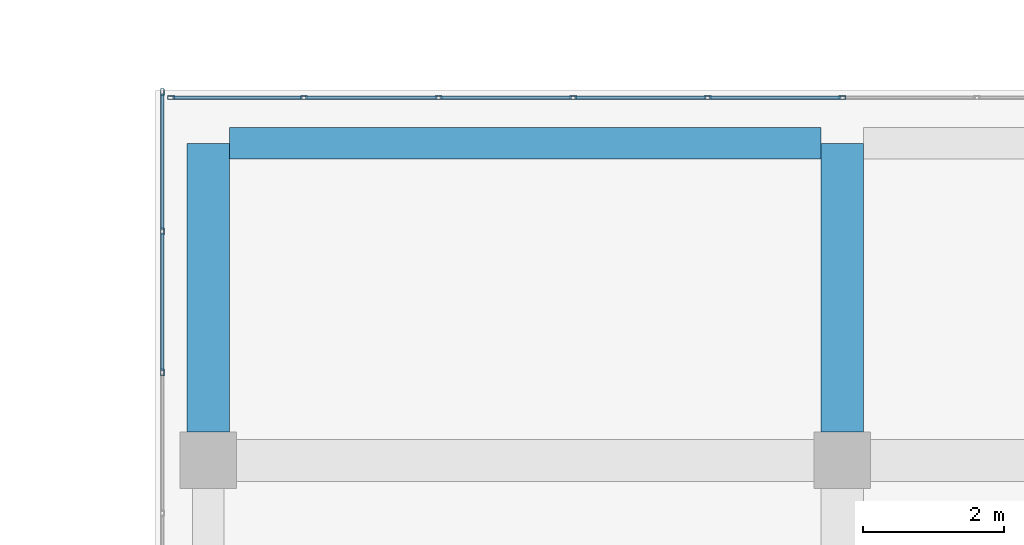
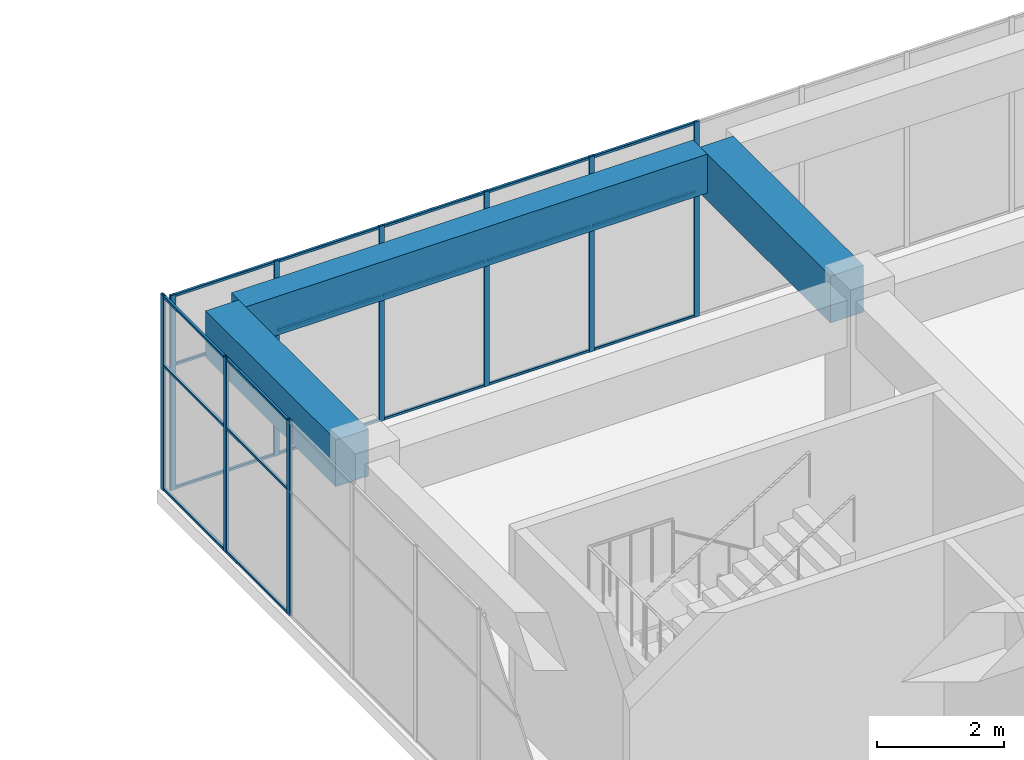
# One storey, part 32 of 66: 30 members, 3 beams, 2 elements without a shape of their own.
"""IFC4 building model written with IfcOpenShell, lengths in metres."""

import ifcopenshell
import ifcopenshell.guid

model = None  # the IFC model being written
_history = None  # IfcOwnerHistory: only IFC2X3 demands one
_inside = {}  # id of a spatial element -> (the spatial element, [elements in it])
_under = {}  # id of a project, library or spatial element -> (it, [spatial elements below it])
_declared = {}  # id of a project -> (the project, [libraries it declares])
_typed = {}  # id of a type object -> (the type object, [elements of that type])
_made_of = {}  # id of a material, layer set ... -> (it, [elements and type objects made of it])


def new_model(schema):
    """Start an empty IFC model of exactly this schema.

    Asked for "IFC4X3", IfcOpenShell would pick the latest addendum, in which some entities
    have other attributes; the version numbers below select the first issue.
    IFC2X3 requires an IfcOwnerHistory on every rooted entity: one is made here for all.
    """
    global model, _history
    if schema == "IFC4X3":
        model = ifcopenshell.file(schema_version=(4, 3, 0, 0))
    else:
        model = ifcopenshell.file(schema=schema)
    _inside.clear()
    _under.clear()
    _declared.clear()
    _typed.clear()
    _made_of.clear()
    _history = None
    if model.schema == "IFC2X3":
        org = make("IfcOrganization", Name="unknown")
        user = make(
            "IfcPersonAndOrganization",
            ThePerson=make("IfcPerson", FamilyName="unknown"),
            TheOrganization=org,
        )
        app = make(
            "IfcApplication",
            ApplicationDeveloper=org,
            Version="unknown",
            ApplicationFullName="unknown",
            ApplicationIdentifier="unknown",
        )
        _history = make(
            "IfcOwnerHistory",
            OwningUser=user,
            OwningApplication=app,
            ChangeAction="ADDED",
            CreationDate=0,
        )
    return model


def make(cls, **values):
    """One entity of the class cls with the attributes given. An attribute that is None is left unset."""
    return model.create_entity(
        cls, **{name: value for name, value in values.items() if value is not None}
    )


def rooted(cls, **values):
    """An entity with a GlobalId (a new one), such as an element, a storey or a relation."""
    return make(cls, GlobalId=ifcopenshell.guid.new(), OwnerHistory=_history, **values)


def si_unit(unit_type, name, prefix=None):
    """IfcSIUnit, for example si_unit("LENGTHUNIT", "METRE", prefix="MILLI")."""
    return make("IfcSIUnit", UnitType=unit_type, Prefix=prefix, Name=name)


def assignment(units):
    """IfcUnitAssignment: the units of a project."""
    return None if units is None else make("IfcUnitAssignment", Units=units)


def point(xyz):
    """IfcCartesianPoint."""
    return None if xyz is None else make("IfcCartesianPoint", Coordinates=xyz)


def direction(xyz):
    """IfcDirection."""
    return None if xyz is None else make("IfcDirection", DirectionRatios=xyz)


def frame(location, z_axis=None, x_axis=None):
    """IfcAxis2Placement3D, a coordinate frame: its origin and axes. An axis left out is left unset."""
    return make(
        "IfcAxis2Placement3D",
        Location=point(location),
        Axis=direction(z_axis),
        RefDirection=direction(x_axis),
    )


def frame_2d(location, x_axis=None):
    """IfcAxis2Placement2D, a coordinate frame in the plane: its origin and x axis."""
    return make(
        "IfcAxis2Placement2D", Location=point(location), RefDirection=direction(x_axis)
    )


def origin():
    """The frame at (0, 0, 0) with its axes left unset."""
    return frame((0.0, 0.0, 0.0))


def origin_2d():
    """The frame at (0, 0) in the plane with its x axis left unset."""
    return frame_2d((0.0, 0.0))


def place(relative_to, where):
    """IfcLocalPlacement: puts the frame where relative to a parent placement (None: the world)."""
    return make(
        "IfcLocalPlacement", PlacementRelTo=relative_to, RelativePlacement=where
    )


def context(
    kind, dimensions, precision=None, world=None, true_north=None, identifier=None
):
    """IfcGeometricRepresentationContext, for example the 3D "Model" context."""
    return make(
        "IfcGeometricRepresentationContext",
        ContextIdentifier=identifier,
        ContextType=kind,
        CoordinateSpaceDimension=dimensions,
        Precision=precision,
        WorldCoordinateSystem=world,
        TrueNorth=true_north,
    )


def subcontext(parent, identifier, kind, view, scale=None):
    """IfcGeometricRepresentationSubContext, for example "Body" below "Model"."""
    return make(
        "IfcGeometricRepresentationSubContext",
        ContextIdentifier=identifier,
        ContextType=kind,
        ParentContext=parent,
        TargetScale=scale,
        TargetView=view,
    )


def project(units=None, contexts=None):
    """IfcProject with its units and contexts."""
    return rooted(
        "IfcProject",
        Name="project",
        RepresentationContexts=contexts,
        UnitsInContext=assignment(units),
    )


def spatial(cls, under=None, at=None, **own):
    """A site, building, storey or space (cls), placed at a placement, below another one or the project."""
    s = rooted(cls, ObjectPlacement=at, **own)
    if under is not None:
        _under.setdefault(under.id(), (under, []))[1].append(s)
    return s


def profile(cls, at=None, kind="AREA", **sizes):
    """A parametric profile (cls). Its sizes go by their IFC names, for example OverallWidth=200.0."""
    return make(cls, ProfileType=kind, Position=at, **sizes)


def rectangle(**sizes):
    """IfcRectangleProfileDef."""
    return profile("IfcRectangleProfileDef", **sizes)


def hollow_rectangle(**sizes):
    """IfcRectangleHollowProfileDef."""
    return profile("IfcRectangleHollowProfileDef", **sizes)


def extrude(swept, where, along, depth):
    """IfcExtrudedAreaSolid: the profile swept, set in the frame where, extruded along a direction by depth."""
    return make(
        "IfcExtrudedAreaSolid",
        SweptArea=swept,
        Position=where,
        ExtrudedDirection=direction(along),
        Depth=depth,
    )


def shape(context_of_items, identifier, shape_type, items):
    """IfcShapeRepresentation: the items that make up one representation, for example the "Body"."""
    return make(
        "IfcShapeRepresentation",
        ContextOfItems=context_of_items,
        RepresentationIdentifier=identifier,
        RepresentationType=shape_type,
        Items=items,
    )


def material(Name=None, Category=None):
    """IfcMaterial."""
    return make("IfcMaterial", Name=Name, Category=Category)


def layer(
    of_material, thickness, ventilated=None, Name=None, Category=None, Priority=None
):
    """IfcMaterialLayer: one layer of a wall or slab, of a material (None: an air gap)."""
    return make(
        "IfcMaterialLayer",
        Material=of_material,
        LayerThickness=thickness,
        IsVentilated=ventilated,
        Name=Name,
        Category=Category,
        Priority=Priority,
    )


def layer_set(layers, Name=None):
    """IfcMaterialLayerSet."""
    return make("IfcMaterialLayerSet", MaterialLayers=layers, LayerSetName=Name)


def material_profile(
    of_material, cross_section, Name=None, Category=None, Priority=None
):
    """IfcMaterialProfile: a cross section and its material."""
    return make(
        "IfcMaterialProfile",
        Name=Name,
        Material=of_material,
        Profile=cross_section,
        Priority=Priority,
        Category=Category,
    )


def profile_set(profiles, Name=None, composite=None):
    """IfcMaterialProfileSet."""
    return make(
        "IfcMaterialProfileSet",
        Name=Name,
        MaterialProfiles=profiles,
        CompositeProfile=composite,
    )


def made_of(thing, what):
    """Note that an element or type object is made of a material, layer set ...; save() writes the relation."""
    if what is not None:
        _made_of.setdefault(what.id(), (what, []))[1].append(thing)
    return thing


def type_object(cls, material=None, **own):
    """A type object (cls), such as IfcWallType, which elements share."""
    return made_of(rooted(cls, **own), material)


def element(
    cls,
    number,
    at=None,
    inside=None,
    cuts=None,
    type_object=None,
    material=None,
    context=None,
    identifier="Body",
    shape_type=None,
    held_by="IfcProductDefinitionShape",
    body=None,
    shapes=None,
    **own,
):
    """One element of the class cls, such as IfcWall. Its Tag is "e" and its number.

    at: its placement. inside: the storey or other place that contains it. cuts: it is an
    opening in that element (IfcRelVoidsElement). A single representation is given by context,
    identifier, shape_type and body (its items); several are given by shapes. held_by: the class
    of the entity that holds the representations. save() writes the other relations.
    """
    e = rooted(cls, Tag="e%d" % number, ObjectPlacement=at, **own)
    if body is not None:
        shapes = [shape(context, identifier, shape_type, body)]
    if shapes is not None:
        e.Representation = make(held_by, Representations=shapes)
    if inside is not None:
        _inside.setdefault(inside.id(), (inside, []))[1].append(e)
    if cuts is not None:
        rooted(
            "IfcRelVoidsElement", RelatingBuildingElement=cuts, RelatedOpeningElement=e
        )
    if type_object is not None:
        _typed.setdefault(type_object.id(), (type_object, []))[1].append(e)
    return made_of(e, material)


def aggregate(whole, parts):
    """IfcRelAggregates: a whole, such as a stair, and the parts it consists of."""
    return rooted("IfcRelAggregates", RelatingObject=whole, RelatedObjects=parts)


def save(model, path):
    """Write the relations noted so far, then the file.

    IfcRelAggregates (storeys below a building ...), IfcRelContainedInSpatialStructure (elements
    in a storey), IfcRelDefinesByType, IfcRelAssociatesMaterial and IfcRelDeclares: one each for
    every whole, place, type object, material and project.
    """
    for whole, parts in _under.values():
        aggregate(whole, parts)
    for where, things in _inside.values():
        rooted(
            "IfcRelContainedInSpatialStructure",
            RelatedElements=things,
            RelatingStructure=where,
        )
    for kind, things in _typed.values():
        rooted("IfcRelDefinesByType", RelatedObjects=things, RelatingType=kind)
    for what, things in _made_of.values():
        rooted("IfcRelAssociatesMaterial", RelatedObjects=things, RelatingMaterial=what)
    for by, libraries in _declared.values():
        rooted("IfcRelDeclares", RelatingContext=by, RelatedDefinitions=libraries)
    model.write(path)


model = new_model("IFC4")

# Units and contexts
model_context = context("Model", 3, precision=1e-05, world=origin(), true_north=direction((0.0, 1.0)))
body_context = subcontext(model_context, "Body", "Model", "MODEL_VIEW")
ifc_project = project(units=[si_unit("LENGTHUNIT", "METRE"), si_unit("AREAUNIT", "SQUARE_METRE"), si_unit("VOLUMEUNIT", "CUBIC_METRE"), si_unit("PLANEANGLEUNIT", "RADIAN"), si_unit("MASSUNIT", "GRAM", prefix="KILO")], contexts=[model_context])

# Site, building, storey
site_placement = place(None, origin())
site = spatial("IfcSite", under=ifc_project, at=site_placement, CompositionType="ELEMENT")
building_placement = place(site_placement, origin())
building = spatial("IfcBuilding", under=site, at=building_placement, Name="Tuart Plaza Theatre", CompositionType="ELEMENT")
storey_placement = place(building_placement, frame((0.0, 0.0, 5.5)))
storey = spatial("IfcBuildingStorey", under=building, at=storey_placement, Name="L01", CompositionType="ELEMENT", Elevation=5.5)

# Beams
ifc_material_1 = material(Name="Concrete N40 (40 MPa)", Category="concrete")
ifc_material_profile_1 = material_profile(ifc_material_1, rectangle(XDim=0.449951171875, YDim=0.75, at=origin_2d()), Name="BEAM 450x750 Concrete N40 (40 MPa)")
ifc_profile_set_1 = profile_set([ifc_material_profile_1], Name="Concrete N40 (40 MPa)")
beam_type_1 = type_object("IfcBeamType", Name="BEAM 450x750 Concrete N40 (40 MPa)", PredefinedType="BEAM", material=ifc_profile_set_1)
beam_placement = place(storey_placement, frame((114.300048828125, 96.5, 3.375), z_axis=(1.0, 0.0, 0.0), x_axis=(0.0, 1.0, 0.0)))
element("IfcBeam", 1, at=beam_placement, inside=storey, type_object=beam_type_1, Name="RB172", PredefinedType="BEAM", context=body_context, shape_type="SweptSolid", body=[
    extrude(rectangle(XDim=0.449951171875, YDim=0.75, at=origin_2d()), origin(), (0.0, 0.0, 1.0), 8.39990234375),
])
ifc_material_2 = material(Name="Concrete N40 (40 MPa)", Category="concrete")
ifc_material_profile_2 = material_profile(ifc_material_2, rectangle(XDim=0.60009765625, YDim=0.89990234375, at=origin_2d()), Name="BEAM 600x900 Concrete N40 (40 MPa)")
ifc_profile_set_2 = profile_set([ifc_material_profile_2], Name="Concrete N40 (40 MPa)")
beam_type_2 = type_object("IfcBeamType", Name="BEAM 600x900 Concrete N40 (40 MPa)", PredefinedType="BEAM", material=ifc_profile_set_2)
for number, where, z_axis, x_axis, name in (
    (2, (114.0, 92.39990234375, 3.300048828125), (0.0, 1.0, 0.0), (-1.0, 0.0, 0.0), "RB170"),
    (3, (123.0, 92.39990234375, 3.300048828125), (0.0, 1.0, 0.0), (-1.0, 0.0, 0.0), "RB178"),
):
    element("IfcBeam", number, at=place(storey_placement, frame(where, z_axis=z_axis, x_axis=x_axis)), inside=storey, type_object=beam_type_2, Name=name, PredefinedType="BEAM", context=body_context, shape_type="SweptSolid", body=[
        extrude(rectangle(XDim=0.60009765625, YDim=0.89990234375, at=origin_2d()), origin(), (0.0, 0.0, 1.0), 4.10009765625),
    ])

# Curtain wall, members
ifc_material_3 = material(Name="Aluminium and glass", Category="aluminium")
ifc_layer = layer(ifc_material_3, 0.10009765625)
ifc_layer_set = layer_set([ifc_layer], Name="CURTAIN WALL 2000 module")
curtain_wall_type = type_object("IfcCurtainWallType", Name="CURTAIN WALL 2000 module", PredefinedType="NOTDEFINED", material=ifc_layer_set)
curtain_wall_1_placement = place(storey_placement, origin())
curtain_wall_1 = element("IfcCurtainWall", 4, at=curtain_wall_1_placement, inside=storey, type_object=curtain_wall_type, Name="CW72", PredefinedType="NOTDEFINED")
ifc_material_4 = material(Name="Aluminium 6063-T5", Category="aluminium")
ifc_material_profile_3 = material_profile(ifc_material_4, hollow_rectangle(XDim=0.050048828125, YDim=0.10009765625, WallThickness=0.00390625, InnerFilletRadius=0.00390625, OuterFilletRadius=0.008056640625, at=origin_2d()), Name="RHS 100x50x4")
ifc_profile_set_3 = profile_set([ifc_material_profile_3], Name="Aluminium 6063-T5")
member_type_1 = type_object("IfcMemberType", Name="MULLION RHS 100x50x4", PredefinedType="MULLION", material=ifc_profile_set_3)
member_1_placement = place(storey_placement, frame((123.0, 97.14990234375, 0.0), z_axis=(0.0, 0.0, 1.0), x_axis=(0.0, -1.0, 0.0)))
member_1 = element("IfcMember", 5, at=member_1_placement, type_object=member_type_1, Name="CW72 mullion 6", PredefinedType="MULLION", context=body_context, shape_type="SweptSolid", body=[
    extrude(hollow_rectangle(XDim=0.050048828125, YDim=0.10009765625, WallThickness=0.00390625, InnerFilletRadius=0.00390625, OuterFilletRadius=0.008056640625, at=origin_2d()), origin(), (0.0, 0.0, 1.0), 3.75),
])
member_2_placement = place(storey_placement, frame((121.090087890625, 97.14990234375, 0.0), z_axis=(0.0, 0.0, 1.0), x_axis=(0.0, -1.0, 0.0)))
member_2 = element("IfcMember", 6, at=member_2_placement, type_object=member_type_1, Name="CW72 mullion 7", PredefinedType="MULLION", context=body_context, shape_type="SweptSolid", body=[
    extrude(hollow_rectangle(XDim=0.050048828125, YDim=0.10009765625, WallThickness=0.00390625, InnerFilletRadius=0.00390625, OuterFilletRadius=0.008056640625, at=origin_2d()), origin(), (0.0, 0.0, 1.0), 3.75),
])
member_3_placement = place(storey_placement, frame((119.179931640625, 97.14990234375, 0.0), z_axis=(0.0, 0.0, 1.0), x_axis=(0.0, -1.0, 0.0)))
member_3 = element("IfcMember", 7, at=member_3_placement, type_object=member_type_1, Name="CW72 mullion 8", PredefinedType="MULLION", context=body_context, shape_type="SweptSolid", body=[
    extrude(hollow_rectangle(XDim=0.050048828125, YDim=0.10009765625, WallThickness=0.00390625, InnerFilletRadius=0.00390625, OuterFilletRadius=0.008056640625, at=origin_2d()), origin(), (0.0, 0.0, 1.0), 3.75),
])
member_4_placement = place(storey_placement, frame((117.27001953125, 97.14990234375, 0.0), z_axis=(0.0, 0.0, 1.0), x_axis=(0.0, -1.0, 0.0)))
member_4 = element("IfcMember", 8, at=member_4_placement, type_object=member_type_1, Name="CW72 mullion 9", PredefinedType="MULLION", context=body_context, shape_type="SweptSolid", body=[
    extrude(hollow_rectangle(XDim=0.050048828125, YDim=0.10009765625, WallThickness=0.00390625, InnerFilletRadius=0.00390625, OuterFilletRadius=0.008056640625, at=origin_2d()), origin(), (0.0, 0.0, 1.0), 3.75),
])
member_5_placement = place(storey_placement, frame((115.360107421875, 97.14990234375, 0.0), z_axis=(0.0, 0.0, 1.0), x_axis=(0.0, -1.0, 0.0)))
member_5 = element("IfcMember", 9, at=member_5_placement, type_object=member_type_1, Name="CW72 mullion 10", PredefinedType="MULLION", context=body_context, shape_type="SweptSolid", body=[
    extrude(hollow_rectangle(XDim=0.050048828125, YDim=0.10009765625, WallThickness=0.00390625, InnerFilletRadius=0.00390625, OuterFilletRadius=0.008056640625, at=origin_2d()), origin(), (0.0, 0.0, 1.0), 3.75),
])
member_6_placement = place(storey_placement, frame((113.47509765625, 97.14990234375, 0.0), z_axis=(0.0, 0.0, 1.0), x_axis=(0.0, -1.0, 0.0)))
member_6 = element("IfcMember", 10, at=member_6_placement, type_object=member_type_1, Name="CW72 mullion 11", PredefinedType="MULLION", context=body_context, shape_type="SweptSolid", body=[
    extrude(hollow_rectangle(XDim=0.050048828125, YDim=0.10009765625, WallThickness=0.00390625, InnerFilletRadius=0.00390625, OuterFilletRadius=0.008056640625, at=origin_2d()), origin(), (0.0, 0.0, 1.0), 3.75),
])

curtain_wall_2_placement = place(storey_placement, origin())
curtain_wall_2 = element("IfcCurtainWall", 11, at=curtain_wall_2_placement, inside=storey, type_object=curtain_wall_type, Name="CW73", PredefinedType="NOTDEFINED")
member_7_placement = place(storey_placement, frame((113.35009765625, 97.22509765625, 0.0), z_axis=(0.0, 0.0, 1.0), x_axis=(1.0, 0.0, 0.0)))
member_7 = element("IfcMember", 12, at=member_7_placement, type_object=member_type_1, Name="CW73 mullion 1", PredefinedType="MULLION", context=body_context, shape_type="SweptSolid", body=[
    extrude(hollow_rectangle(XDim=0.050048828125, YDim=0.10009765625, WallThickness=0.00390625, InnerFilletRadius=0.00390625, OuterFilletRadius=0.008056640625, at=origin_2d()), origin(), (0.0, 0.0, 1.0), 3.75),
])
member_8_placement = place(storey_placement, frame((113.35009765625, 95.25, 0.0), z_axis=(0.0, 0.0, 1.0), x_axis=(1.0, 0.0, 0.0)))
member_8 = element("IfcMember", 13, at=member_8_placement, type_object=member_type_1, Name="CW73 mullion 2", PredefinedType="MULLION", context=body_context, shape_type="SweptSolid", body=[
    extrude(hollow_rectangle(XDim=0.050048828125, YDim=0.10009765625, WallThickness=0.00390625, InnerFilletRadius=0.00390625, OuterFilletRadius=0.008056640625, at=origin_2d()), origin(), (0.0, 0.0, 1.0), 3.75),
])
member_9_placement = place(storey_placement, frame((113.35009765625, 93.25, 0.0), z_axis=(0.0, 0.0, 1.0), x_axis=(1.0, 0.0, 0.0)))
member_9 = element("IfcMember", 14, at=member_9_placement, type_object=member_type_1, Name="CW73 mullion 3", PredefinedType="MULLION", context=body_context, shape_type="SweptSolid", body=[
    extrude(hollow_rectangle(XDim=0.050048828125, YDim=0.10009765625, WallThickness=0.00390625, InnerFilletRadius=0.00390625, OuterFilletRadius=0.008056640625, at=origin_2d()), origin(), (0.0, 0.0, 1.0), 3.75),
])

# Member
ifc_material_5 = material(Name="Aluminium 6063-T5", Category="aluminium")
ifc_material_profile_4 = material_profile(ifc_material_5, hollow_rectangle(XDim=0.050048828125, YDim=0.050048828125, WallThickness=0.00390625, InnerFilletRadius=0.00390625, OuterFilletRadius=0.008056640625, at=origin_2d()), Name="RHS 50x50x4")
ifc_profile_set_4 = profile_set([ifc_material_profile_4], Name="Aluminium 6063-T5")
member_type_2 = type_object("IfcMemberType", Name="TRANSOM RHS 50x50x4", PredefinedType="USERDEFINED", material=ifc_profile_set_4)
member_10_placement = place(storey_placement, frame((122.97509765625, 97.14990234375, 0.02490234375), z_axis=(-1.0, 0.0, 0.0), x_axis=(0.0, -1.0, 0.0)))
member_10 = element("IfcMember", 15, at=member_10_placement, type_object=member_type_2, Name="CW72 transom 6.1", ObjectType="TRANSOM", PredefinedType="USERDEFINED", context=body_context, shape_type="SweptSolid", body=[
    extrude(hollow_rectangle(XDim=0.050048828125, YDim=0.050048828125, WallThickness=0.00390625, InnerFilletRadius=0.00390625, OuterFilletRadius=0.008056640625, at=origin_2d()), origin(), (0.0, 0.0, 1.0), 1.860107421875),
])

member_11_placement = place(storey_placement, frame((122.97509765625, 97.14990234375, 2.39990234375), z_axis=(-1.0, 0.0, 0.0), x_axis=(0.0, -1.0, 0.0)))
member_11 = element("IfcMember", 16, at=member_11_placement, type_object=member_type_2, Name="CW72 transom 6.2", ObjectType="TRANSOM", PredefinedType="USERDEFINED", context=body_context, shape_type="SweptSolid", body=[
    extrude(hollow_rectangle(XDim=0.050048828125, YDim=0.050048828125, WallThickness=0.00390625, InnerFilletRadius=0.00390625, OuterFilletRadius=0.008056640625, at=origin_2d()), origin(), (0.0, 0.0, 1.0), 1.860107421875),
])

member_12_placement = place(storey_placement, frame((122.97509765625, 97.14990234375, 3.72509765625), z_axis=(-1.0, 0.0, 0.0), x_axis=(0.0, -1.0, 0.0)))
member_12 = element("IfcMember", 17, at=member_12_placement, type_object=member_type_2, Name="CW72 transom 6.3", ObjectType="TRANSOM", PredefinedType="USERDEFINED", context=body_context, shape_type="SweptSolid", body=[
    extrude(hollow_rectangle(XDim=0.050048828125, YDim=0.050048828125, WallThickness=0.00390625, InnerFilletRadius=0.00390625, OuterFilletRadius=0.008056640625, at=origin_2d()), origin(), (0.0, 0.0, 1.0), 1.860107421875),
])

member_13_placement = place(storey_placement, frame((121.06494140625, 97.14990234375, 0.02490234375), z_axis=(-1.0, 0.0, 0.0), x_axis=(0.0, -1.0, 0.0)))
member_13 = element("IfcMember", 18, at=member_13_placement, type_object=member_type_2, Name="CW72 transom 7.1", ObjectType="TRANSOM", PredefinedType="USERDEFINED", context=body_context, shape_type="SweptSolid", body=[
    extrude(hollow_rectangle(XDim=0.050048828125, YDim=0.050048828125, WallThickness=0.00390625, InnerFilletRadius=0.00390625, OuterFilletRadius=0.008056640625, at=origin_2d()), origin(), (0.0, 0.0, 1.0), 1.85986328125),
])

member_14_placement = place(storey_placement, frame((121.06494140625, 97.14990234375, 2.39990234375), z_axis=(-1.0, 0.0, 0.0), x_axis=(0.0, -1.0, 0.0)))
member_14 = element("IfcMember", 19, at=member_14_placement, type_object=member_type_2, Name="CW72 transom 7.2", ObjectType="TRANSOM", PredefinedType="USERDEFINED", context=body_context, shape_type="SweptSolid", body=[
    extrude(hollow_rectangle(XDim=0.050048828125, YDim=0.050048828125, WallThickness=0.00390625, InnerFilletRadius=0.00390625, OuterFilletRadius=0.008056640625, at=origin_2d()), origin(), (0.0, 0.0, 1.0), 1.85986328125),
])

member_15_placement = place(storey_placement, frame((121.06494140625, 97.14990234375, 3.72509765625), z_axis=(-1.0, 0.0, 0.0), x_axis=(0.0, -1.0, 0.0)))
member_15 = element("IfcMember", 20, at=member_15_placement, type_object=member_type_2, Name="CW72 transom 7.3", ObjectType="TRANSOM", PredefinedType="USERDEFINED", context=body_context, shape_type="SweptSolid", body=[
    extrude(hollow_rectangle(XDim=0.050048828125, YDim=0.050048828125, WallThickness=0.00390625, InnerFilletRadius=0.00390625, OuterFilletRadius=0.008056640625, at=origin_2d()), origin(), (0.0, 0.0, 1.0), 1.85986328125),
])

member_16_placement = place(storey_placement, frame((119.155029296875, 97.14990234375, 0.02490234375), z_axis=(-1.0, 0.0, 0.0), x_axis=(0.0, -1.0, 0.0)))
member_16 = element("IfcMember", 21, at=member_16_placement, type_object=member_type_2, Name="CW72 transom 8.1", ObjectType="TRANSOM", PredefinedType="USERDEFINED", context=body_context, shape_type="SweptSolid", body=[
    extrude(hollow_rectangle(XDim=0.050048828125, YDim=0.050048828125, WallThickness=0.00390625, InnerFilletRadius=0.00390625, OuterFilletRadius=0.008056640625, at=origin_2d()), origin(), (0.0, 0.0, 1.0), 1.860107421875),
])

member_17_placement = place(storey_placement, frame((119.155029296875, 97.14990234375, 2.39990234375), z_axis=(-1.0, 0.0, 0.0), x_axis=(0.0, -1.0, 0.0)))
member_17 = element("IfcMember", 22, at=member_17_placement, type_object=member_type_2, Name="CW72 transom 8.2", ObjectType="TRANSOM", PredefinedType="USERDEFINED", context=body_context, shape_type="SweptSolid", body=[
    extrude(hollow_rectangle(XDim=0.050048828125, YDim=0.050048828125, WallThickness=0.00390625, InnerFilletRadius=0.00390625, OuterFilletRadius=0.008056640625, at=origin_2d()), origin(), (0.0, 0.0, 1.0), 1.860107421875),
])

member_18_placement = place(storey_placement, frame((119.155029296875, 97.14990234375, 3.72509765625), z_axis=(-1.0, 0.0, 0.0), x_axis=(0.0, -1.0, 0.0)))
member_18 = element("IfcMember", 23, at=member_18_placement, type_object=member_type_2, Name="CW72 transom 8.3", ObjectType="TRANSOM", PredefinedType="USERDEFINED", context=body_context, shape_type="SweptSolid", body=[
    extrude(hollow_rectangle(XDim=0.050048828125, YDim=0.050048828125, WallThickness=0.00390625, InnerFilletRadius=0.00390625, OuterFilletRadius=0.008056640625, at=origin_2d()), origin(), (0.0, 0.0, 1.0), 1.860107421875),
])

member_19_placement = place(storey_placement, frame((117.2451171875, 97.14990234375, 0.02490234375), z_axis=(-1.0, 0.0, 0.0), x_axis=(0.0, -1.0, 0.0)))
member_19 = element("IfcMember", 24, at=member_19_placement, type_object=member_type_2, Name="CW72 transom 9.1", ObjectType="TRANSOM", PredefinedType="USERDEFINED", context=body_context, shape_type="SweptSolid", body=[
    extrude(hollow_rectangle(XDim=0.050048828125, YDim=0.050048828125, WallThickness=0.00390625, InnerFilletRadius=0.00390625, OuterFilletRadius=0.008056640625, at=origin_2d()), origin(), (0.0, 0.0, 1.0), 1.860107421875),
])

member_20_placement = place(storey_placement, frame((117.2451171875, 97.14990234375, 2.39990234375), z_axis=(-1.0, 0.0, 0.0), x_axis=(0.0, -1.0, 0.0)))
member_20 = element("IfcMember", 25, at=member_20_placement, type_object=member_type_2, Name="CW72 transom 9.2", ObjectType="TRANSOM", PredefinedType="USERDEFINED", context=body_context, shape_type="SweptSolid", body=[
    extrude(hollow_rectangle(XDim=0.050048828125, YDim=0.050048828125, WallThickness=0.00390625, InnerFilletRadius=0.00390625, OuterFilletRadius=0.008056640625, at=origin_2d()), origin(), (0.0, 0.0, 1.0), 1.860107421875),
])

member_21_placement = place(storey_placement, frame((117.2451171875, 97.14990234375, 3.72509765625), z_axis=(-1.0, 0.0, 0.0), x_axis=(0.0, -1.0, 0.0)))
member_21 = element("IfcMember", 26, at=member_21_placement, type_object=member_type_2, Name="CW72 transom 9.3", ObjectType="TRANSOM", PredefinedType="USERDEFINED", context=body_context, shape_type="SweptSolid", body=[
    extrude(hollow_rectangle(XDim=0.050048828125, YDim=0.050048828125, WallThickness=0.00390625, InnerFilletRadius=0.00390625, OuterFilletRadius=0.008056640625, at=origin_2d()), origin(), (0.0, 0.0, 1.0), 1.860107421875),
])

member_22_placement = place(storey_placement, frame((115.3349609375, 97.14990234375, 0.02490234375), z_axis=(-1.0, 0.0, 0.0), x_axis=(0.0, -1.0, 0.0)))
member_22 = element("IfcMember", 27, at=member_22_placement, type_object=member_type_2, Name="CW72 transom 10.1", ObjectType="TRANSOM", PredefinedType="USERDEFINED", context=body_context, shape_type="SweptSolid", body=[
    extrude(hollow_rectangle(XDim=0.050048828125, YDim=0.050048828125, WallThickness=0.00390625, InnerFilletRadius=0.00390625, OuterFilletRadius=0.008056640625, at=origin_2d()), origin(), (0.0, 0.0, 1.0), 1.8349609375),
])

member_23_placement = place(storey_placement, frame((115.3349609375, 97.14990234375, 2.39990234375), z_axis=(-1.0, 0.0, 0.0), x_axis=(0.0, -1.0, 0.0)))
member_23 = element("IfcMember", 28, at=member_23_placement, type_object=member_type_2, Name="CW72 transom 10.2", ObjectType="TRANSOM", PredefinedType="USERDEFINED", context=body_context, shape_type="SweptSolid", body=[
    extrude(hollow_rectangle(XDim=0.050048828125, YDim=0.050048828125, WallThickness=0.00390625, InnerFilletRadius=0.00390625, OuterFilletRadius=0.008056640625, at=origin_2d()), origin(), (0.0, 0.0, 1.0), 1.8349609375),
])

member_24_placement = place(storey_placement, frame((115.3349609375, 97.14990234375, 3.72509765625), z_axis=(-1.0, 0.0, 0.0), x_axis=(0.0, -1.0, 0.0)))
member_24 = element("IfcMember", 29, at=member_24_placement, type_object=member_type_2, Name="CW72 transom 10.3", ObjectType="TRANSOM", PredefinedType="USERDEFINED", context=body_context, shape_type="SweptSolid", body=[
    extrude(hollow_rectangle(XDim=0.050048828125, YDim=0.050048828125, WallThickness=0.00390625, InnerFilletRadius=0.00390625, OuterFilletRadius=0.008056640625, at=origin_2d()), origin(), (0.0, 0.0, 1.0), 1.8349609375),
])

aggregate(curtain_wall_1, [member_1, member_2, member_3, member_4, member_5, member_6, member_10, member_11, member_12, member_13, member_14, member_15, member_16, member_17, member_18, member_19, member_20, member_21, member_22, member_23, member_24])

member_25_placement = place(storey_placement, frame((113.35009765625, 97.199951171875, 0.02490234375), z_axis=(0.0, -1.0, 0.0), x_axis=(1.0, 0.0, 0.0)))
member_25 = element("IfcMember", 30, at=member_25_placement, type_object=member_type_2, Name="CW73 transom 1.1", ObjectType="TRANSOM", PredefinedType="USERDEFINED", context=body_context, shape_type="SweptSolid", body=[
    extrude(hollow_rectangle(XDim=0.050048828125, YDim=0.050048828125, WallThickness=0.00390625, InnerFilletRadius=0.00390625, OuterFilletRadius=0.008056640625, at=origin_2d()), origin(), (0.0, 0.0, 1.0), 1.925048828125),
])

member_26_placement = place(storey_placement, frame((113.35009765625, 97.199951171875, 2.39990234375), z_axis=(0.0, -1.0, 0.0), x_axis=(1.0, 0.0, 0.0)))
member_26 = element("IfcMember", 31, at=member_26_placement, type_object=member_type_2, Name="CW73 transom 1.2", ObjectType="TRANSOM", PredefinedType="USERDEFINED", context=body_context, shape_type="SweptSolid", body=[
    extrude(hollow_rectangle(XDim=0.050048828125, YDim=0.050048828125, WallThickness=0.00390625, InnerFilletRadius=0.00390625, OuterFilletRadius=0.008056640625, at=origin_2d()), origin(), (0.0, 0.0, 1.0), 1.925048828125),
])

member_27_placement = place(storey_placement, frame((113.35009765625, 97.199951171875, 3.72509765625), z_axis=(0.0, -1.0, 0.0), x_axis=(1.0, 0.0, 0.0)))
member_27 = element("IfcMember", 32, at=member_27_placement, type_object=member_type_2, Name="CW73 transom 1.3", ObjectType="TRANSOM", PredefinedType="USERDEFINED", context=body_context, shape_type="SweptSolid", body=[
    extrude(hollow_rectangle(XDim=0.050048828125, YDim=0.050048828125, WallThickness=0.00390625, InnerFilletRadius=0.00390625, OuterFilletRadius=0.008056640625, at=origin_2d()), origin(), (0.0, 0.0, 1.0), 1.925048828125),
])

member_28_placement = place(storey_placement, frame((113.35009765625, 95.22509765625, 0.02490234375), z_axis=(0.0, -1.0, 0.0), x_axis=(1.0, 0.0, 0.0)))
member_28 = element("IfcMember", 33, at=member_28_placement, type_object=member_type_2, Name="CW73 transom 2.1", ObjectType="TRANSOM", PredefinedType="USERDEFINED", context=body_context, shape_type="SweptSolid", body=[
    extrude(hollow_rectangle(XDim=0.050048828125, YDim=0.050048828125, WallThickness=0.00390625, InnerFilletRadius=0.00390625, OuterFilletRadius=0.008056640625, at=origin_2d()), origin(), (0.0, 0.0, 1.0), 1.9501953125),
])

member_29_placement = place(storey_placement, frame((113.35009765625, 95.22509765625, 2.39990234375), z_axis=(0.0, -1.0, 0.0), x_axis=(1.0, 0.0, 0.0)))
member_29 = element("IfcMember", 34, at=member_29_placement, type_object=member_type_2, Name="CW73 transom 2.2", ObjectType="TRANSOM", PredefinedType="USERDEFINED", context=body_context, shape_type="SweptSolid", body=[
    extrude(hollow_rectangle(XDim=0.050048828125, YDim=0.050048828125, WallThickness=0.00390625, InnerFilletRadius=0.00390625, OuterFilletRadius=0.008056640625, at=origin_2d()), origin(), (0.0, 0.0, 1.0), 1.9501953125),
])

member_30_placement = place(storey_placement, frame((113.35009765625, 95.22509765625, 3.72509765625), z_axis=(0.0, -1.0, 0.0), x_axis=(1.0, 0.0, 0.0)))
member_30 = element("IfcMember", 35, at=member_30_placement, type_object=member_type_2, Name="CW73 transom 2.3", ObjectType="TRANSOM", PredefinedType="USERDEFINED", context=body_context, shape_type="SweptSolid", body=[
    extrude(hollow_rectangle(XDim=0.050048828125, YDim=0.050048828125, WallThickness=0.00390625, InnerFilletRadius=0.00390625, OuterFilletRadius=0.008056640625, at=origin_2d()), origin(), (0.0, 0.0, 1.0), 1.9501953125),
])

aggregate(curtain_wall_2, [member_7, member_8, member_9, member_25, member_26, member_27, member_28, member_29, member_30])

save(model, "model.ifc")
